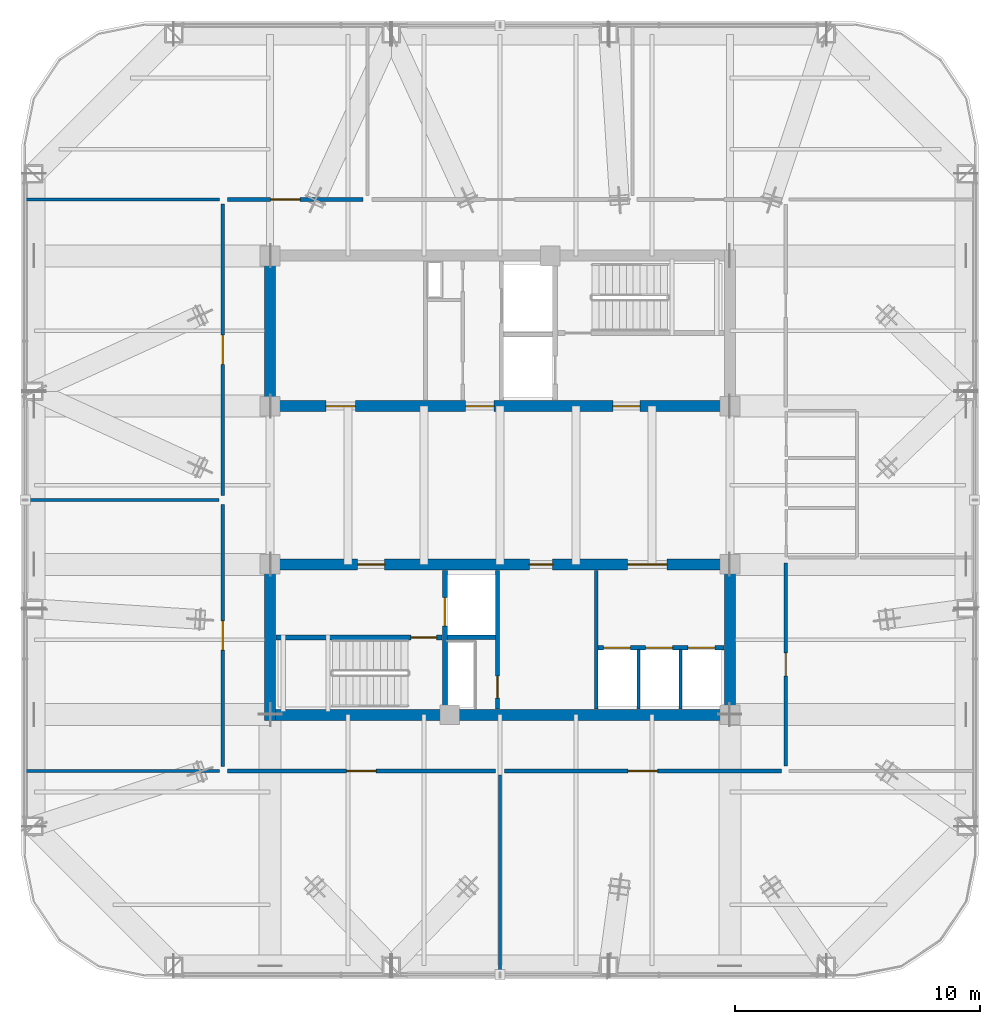
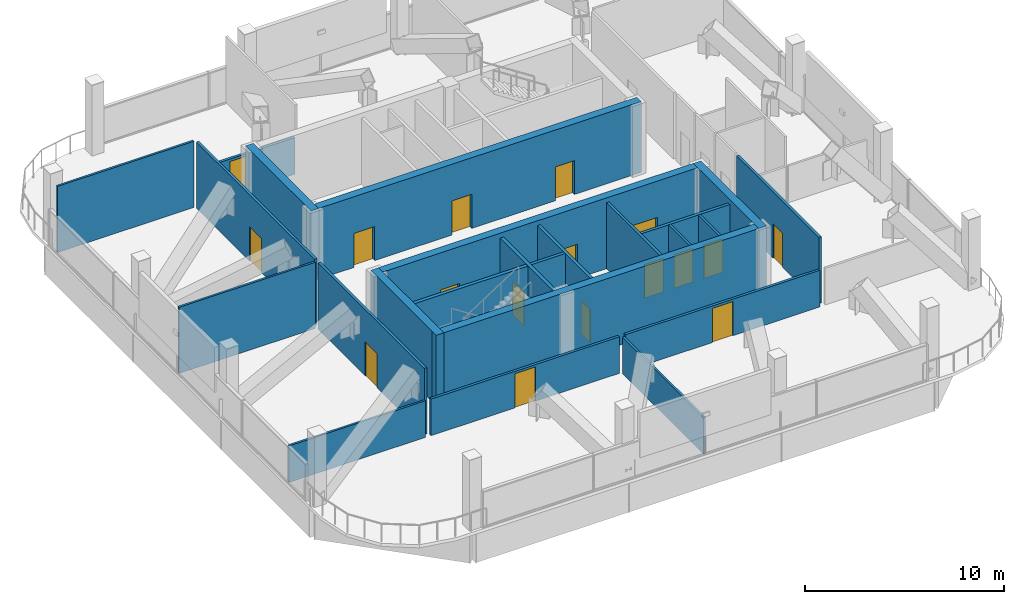
# One storey, part 15 of 19: 24 walls, 18 doors, 18 openings.
"""IFC4 building model written with IfcOpenShell, lengths in metres."""

from ifc_helpers import new_model, si_unit, direction, frame, frame_2d, origin, place, context, subcontext, project, spatial, rectangle, extrude, material, layer, layer_set, type_object, element, fill, save


model = new_model("IFC4")

# Units and contexts
model_context = context("Model", 3, precision=1e-05, world=origin(), true_north=direction((0.0, 1.0)))
body_context = subcontext(model_context, "Body", "Model", "MODEL_VIEW")
ifc_project = project(units=[si_unit("LENGTHUNIT", "METRE"), si_unit("AREAUNIT", "SQUARE_METRE"), si_unit("VOLUMEUNIT", "CUBIC_METRE"), si_unit("PLANEANGLEUNIT", "RADIAN"), si_unit("MASSUNIT", "GRAM", prefix="KILO")], contexts=[model_context])

# Site, building, storey
site_placement = place(None, origin())
site = spatial("IfcSite", under=ifc_project, at=site_placement, CompositionType="ELEMENT")
building_placement = place(site_placement, origin())
building = spatial("IfcBuilding", under=site, at=building_placement, Name="Qhalaya Broadcast Tower", CompositionType="ELEMENT")
storey_placement = place(building_placement, frame((0.0, 0.0, 226.949951171875)))
storey = spatial("IfcBuildingStorey", under=building, at=storey_placement, Name="L67", CompositionType="ELEMENT", Elevation=226.949951171875)

# Wall
ifc_material_1 = material(Name="Gypsum Acoustic Partition")
ifc_layer_1 = layer(ifc_material_1, 0.14990234375, Name="Gypsum Acoustic Partition")
ifc_layer_set_1 = layer_set([ifc_layer_1], Name="Gypsum Acoustic Partition")
wall_type_1 = type_object("IfcWallType", Name="Corridor & Tenancy Acoustic Partition 150", PredefinedType="PARTITIONING", material=ifc_layer_set_1)
wall_1_placement = place(storey_placement, frame((3.919921875, -8.530029296875, 0.0), z_axis=(0.0, 0.0, 1.0), x_axis=(0.0, 1.0, 0.0)))
element("IfcWall", 1, at=wall_1_placement, inside=storey, type_object=wall_type_1, Name="L67 Partition Wall SCW-HSEP", PredefinedType="PARTITIONING", context=body_context, shape_type="SweptSolid", body=[
    extrude(rectangle(XDim=5.659912109375, YDim=0.14990234375, at=frame_2d((2.830078125, 0.0))), origin(), (0.0, 0.0, 1.0), 4.070068359375),
])

# Wall, opening, door
wall_2_placement = place(storey_placement, frame((-11.1201171875, 12.25, 0.0), z_axis=(0.0, 0.0, 1.0), x_axis=(1.0, 0.0, 0.0)))
wall_2 = element("IfcWall", 2, at=wall_2_placement, inside=storey, type_object=wall_type_1, Name="L67 Partition Wall W-COR-01", PredefinedType="PARTITIONING", context=body_context, shape_type="SweptSolid", body=[
    extrude(rectangle(XDim=5.5400390625, YDim=0.14990234375, at=frame_2d((2.77001953125, 0.0))), origin(), (0.0, 0.0, 1.0), 2.25),
])
opening_1_placement = place(wall_2_placement, frame((1.77001953125, 0.0, 0.0)))
opening_1 = element("IfcOpeningElement", 3, at=opening_1_placement, cuts=wall_2, Name="Opening D11", PredefinedType="OPENING", context=body_context, shape_type="SweptSolid", body=[
    extrude(rectangle(XDim=1.199951171875, YDim=2.10009765625, at=frame_2d((0.60009765625, 1.050048828125))), frame((0.0, 0.0869140625, 0.0), z_axis=(0.0, -1.0, 0.0), x_axis=(1.0, 0.0, 0.0)), (0.0, 0.0, 1.0), 0.173828125),
])
ifc_material_2 = material(Name="Anodised Aluminium Glazed Door", Category="aluminium")
door_type_1 = type_object("IfcDoorType", Name="Conference, Boardroom & Studio Control Door D11", OperationType="NOTDEFINED", PredefinedType="DOOR", material=ifc_material_2)
door_1_placement = place(opening_1_placement, origin())
door_1 = element("IfcDoor", 4, at=door_1_placement, inside=storey, type_object=door_type_1, Name="L67 Door D-RM01", OperationType="SINGLE_SWING_LEFT", OverallHeight=2.10009765625, OverallWidth=1.199951171875, PredefinedType="DOOR", context=body_context, shape_type="SweptSolid", body=[
    extrude(rectangle(XDim=1.199951171875, YDim=2.10009765625, at=frame_2d((0.60009765625, 1.050048828125))), frame((0.0, 0.02490234375, 0.0), z_axis=(0.0, -1.0, 0.0), x_axis=(1.0, 0.0, 0.0)), (0.0, 0.0, 1.0), 0.050048828125),
])
fill(opening_1, door_1)

wall_3_placement = place(storey_placement, frame((-11.1201171875, -11.050048828125, 0.0), z_axis=(0.0, 0.0, 1.0), x_axis=(1.0, 0.0, 0.0)))
wall_3 = element("IfcWall", 5, at=wall_3_placement, inside=storey, type_object=wall_type_1, Name="L67 Partition Wall W-COR-04", PredefinedType="PARTITIONING", context=body_context, shape_type="SweptSolid", body=[
    extrude(rectangle(XDim=10.940185546875, YDim=0.14990234375, at=frame_2d((5.47021484375, 0.0))), origin(), (0.0, 0.0, 1.0), 2.25),
])
opening_2_placement = place(wall_3_placement, frame((4.8701171875, 0.0, 0.0)))
opening_2 = element("IfcOpeningElement", 6, at=opening_2_placement, cuts=wall_3, Name="Opening D11", PredefinedType="OPENING", context=body_context, shape_type="SweptSolid", body=[
    extrude(rectangle(XDim=1.199951171875, YDim=2.10009765625, at=frame_2d((0.60009765625, 1.050048828125))), frame((0.0, 0.0869140625, 0.0), z_axis=(0.0, -1.0, 0.0), x_axis=(1.0, 0.0, 0.0)), (0.0, 0.0, 1.0), 0.173828125),
])
door_2_placement = place(opening_2_placement, origin())
door_2 = element("IfcDoor", 7, at=door_2_placement, inside=storey, type_object=door_type_1, Name="L67 Door D-RM04", OperationType="SINGLE_SWING_RIGHT", OverallHeight=2.10009765625, OverallWidth=1.199951171875, PredefinedType="DOOR", context=body_context, shape_type="SweptSolid", body=[
    extrude(rectangle(XDim=1.199951171875, YDim=2.10009765625, at=frame_2d((0.60009765625, 1.050048828125))), frame((0.0, 0.02490234375, 0.0), z_axis=(0.0, -1.0, 0.0), x_axis=(1.0, 0.0, 0.0)), (0.0, 0.0, 1.0), 0.050048828125),
])
fill(opening_2, door_2)

wall_4_placement = place(storey_placement, frame((0.179931640625, -11.050048828125, 0.0), z_axis=(0.0, 0.0, 1.0), x_axis=(1.0, 0.0, 0.0)))
wall_4 = element("IfcWall", 8, at=wall_4_placement, inside=storey, type_object=wall_type_1, Name="L67 Partition Wall W-COR-05", PredefinedType="PARTITIONING", context=body_context, shape_type="SweptSolid", body=[
    extrude(rectangle(XDim=11.2900390625, YDim=0.14990234375, at=frame_2d((5.64501953125, 0.0))), origin(), (0.0, 0.0, 1.0), 2.25),
])
opening_3_placement = place(wall_4_placement, frame((5.044921875, 0.0, 0.0)))
opening_3 = element("IfcOpeningElement", 9, at=opening_3_placement, cuts=wall_4, Name="Opening D11", PredefinedType="OPENING", context=body_context, shape_type="SweptSolid", body=[
    extrude(rectangle(XDim=1.199951171875, YDim=2.10009765625, at=frame_2d((0.60009765625, 1.050048828125))), frame((0.0, 0.0869140625, 0.0), z_axis=(0.0, -1.0, 0.0), x_axis=(1.0, 0.0, 0.0)), (0.0, 0.0, 1.0), 0.173828125),
])
door_3_placement = place(opening_3_placement, origin())
door_3 = element("IfcDoor", 10, at=door_3_placement, inside=storey, type_object=door_type_1, Name="L67 Door D-RM05", OperationType="SINGLE_SWING_LEFT", OverallHeight=2.10009765625, OverallWidth=1.199951171875, PredefinedType="DOOR", context=body_context, shape_type="SweptSolid", body=[
    extrude(rectangle(XDim=1.199951171875, YDim=2.10009765625, at=frame_2d((0.60009765625, 1.050048828125))), frame((0.0, 0.02490234375, 0.0), z_axis=(0.0, -1.0, 0.0), x_axis=(1.0, 0.0, 0.0)), (0.0, 0.0, 1.0), 0.050048828125),
])
fill(opening_3, door_3)

wall_5_placement = place(storey_placement, frame((-11.300048828125, -10.8701171875, 0.0), z_axis=(0.0, 0.0, 1.0), x_axis=(0.0, 1.0, 0.0)))
wall_5 = element("IfcWall", 11, at=wall_5_placement, inside=storey, type_object=wall_type_1, Name="L67 Partition Wall W-COR-06", PredefinedType="PARTITIONING", context=body_context, shape_type="SweptSolid", body=[
    extrude(rectangle(XDim=10.690185546875, YDim=0.14990234375, at=frame_2d((5.34521484375, 0.0))), origin(), (0.0, 0.0, 1.0), 4.070068359375),
])
opening_4_placement = place(wall_5_placement, frame((4.7451171875, 0.0, 0.0)))
opening_4 = element("IfcOpeningElement", 12, at=opening_4_placement, cuts=wall_5, Name="Opening D11", PredefinedType="OPENING", context=body_context, shape_type="SweptSolid", body=[
    extrude(rectangle(XDim=1.199951171875, YDim=2.10009765625, at=frame_2d((0.60009765625, 1.050048828125))), frame((0.0, 0.0869140625, 0.0), z_axis=(0.0, -1.0, 0.0), x_axis=(1.0, 0.0, 0.0)), (0.0, 0.0, 1.0), 0.173828125),
])
door_4_placement = place(opening_4_placement, origin())
door_4 = element("IfcDoor", 13, at=door_4_placement, inside=storey, type_object=door_type_1, Name="L67 Door D-RM06", OperationType="SINGLE_SWING_RIGHT", OverallHeight=2.10009765625, OverallWidth=1.199951171875, PredefinedType="DOOR", context=body_context, shape_type="SweptSolid", body=[
    extrude(rectangle(XDim=1.199951171875, YDim=2.10009765625, at=frame_2d((0.60009765625, 1.050048828125))), frame((0.0, 0.02490234375, 0.0), z_axis=(0.0, -1.0, 0.0), x_axis=(1.0, 0.0, 0.0)), (0.0, 0.0, 1.0), 0.050048828125),
])
fill(opening_4, door_4)

wall_6_placement = place(storey_placement, frame((-11.300048828125, 0.179931640625, 0.0), z_axis=(0.0, 0.0, 1.0), x_axis=(0.0, 1.0, 0.0)))
wall_6 = element("IfcWall", 14, at=wall_6_placement, inside=storey, type_object=wall_type_1, Name="L67 Partition Wall W-COR-07", PredefinedType="PARTITIONING", context=body_context, shape_type="SweptSolid", body=[
    extrude(rectangle(XDim=11.89013671875, YDim=0.14990234375, at=frame_2d((5.945068359375, 0.0))), origin(), (0.0, 0.0, 1.0), 4.070068359375),
])
opening_5_placement = place(wall_6_placement, frame((5.344970703125, 0.0, 0.0)))
opening_5 = element("IfcOpeningElement", 15, at=opening_5_placement, cuts=wall_6, Name="Opening D11", PredefinedType="OPENING", context=body_context, shape_type="SweptSolid", body=[
    extrude(rectangle(XDim=1.199951171875, YDim=2.10009765625, at=frame_2d((0.60009765625, 1.050048828125))), frame((0.0, 0.0869140625, 0.0), z_axis=(0.0, -1.0, 0.0), x_axis=(1.0, 0.0, 0.0)), (0.0, 0.0, 1.0), 0.173828125),
])
door_5_placement = place(opening_5_placement, origin())
door_5 = element("IfcDoor", 16, at=door_5_placement, inside=storey, type_object=door_type_1, Name="L67 Door D-RM07", OperationType="SINGLE_SWING_LEFT", OverallHeight=2.10009765625, OverallWidth=1.199951171875, PredefinedType="DOOR", context=body_context, shape_type="SweptSolid", body=[
    extrude(rectangle(XDim=1.199951171875, YDim=2.10009765625, at=frame_2d((0.60009765625, 1.050048828125))), frame((0.0, 0.02490234375, 0.0), z_axis=(0.0, -1.0, 0.0), x_axis=(1.0, 0.0, 0.0)), (0.0, 0.0, 1.0), 0.050048828125),
])
fill(opening_5, door_5)

wall_7_placement = place(storey_placement, frame((11.64990234375, -10.85009765625, 0.0), z_axis=(0.0, 0.0, 1.0), x_axis=(0.0, 1.0, 0.0)))
wall_7 = element("IfcWall", 17, at=wall_7_placement, inside=storey, type_object=wall_type_1, Name="L67 Partition Wall W-COR-08", PredefinedType="PARTITIONING", context=body_context, shape_type="SweptSolid", body=[
    extrude(rectangle(XDim=8.2900390625, YDim=0.14990234375, at=frame_2d((4.14501953125, 0.0))), origin(), (0.0, 0.0, 1.0), 4.070068359375),
])
opening_6_placement = place(wall_7_placement, frame((3.669921875, 0.0, 0.0)))
opening_6 = element("IfcOpeningElement", 18, at=opening_6_placement, cuts=wall_7, Name="Opening D10", PredefinedType="OPENING", context=body_context, shape_type="SweptSolid", body=[
    extrude(rectangle(XDim=0.949951171875, YDim=2.10009765625, at=frame_2d((0.47509765625, 1.050048828125))), frame((0.0, 0.0869140625, 0.0), z_axis=(0.0, -1.0, 0.0), x_axis=(1.0, 0.0, 0.0)), (0.0, 0.0, 1.0), 0.173828125),
])
ifc_material_3 = material(Name="Timber Veneer Acoustic Door", Category="wood")
door_type_2 = type_object("IfcDoorType", Name="Cellular Office & Edit Booth Door D10", OperationType="NOTDEFINED", PredefinedType="DOOR", material=ifc_material_3)
door_6_placement = place(opening_6_placement, origin())
door_6 = element("IfcDoor", 19, at=door_6_placement, inside=storey, type_object=door_type_2, Name="L67 Door D-RM08", OperationType="SINGLE_SWING_RIGHT", OverallHeight=2.10009765625, OverallWidth=0.949951171875, PredefinedType="DOOR", context=body_context, shape_type="SweptSolid", body=[
    extrude(rectangle(XDim=0.949951171875, YDim=2.10009765625, at=frame_2d((0.47509765625, 1.050048828125))), frame((0.0, 0.02490234375, 0.0), z_axis=(0.0, -1.0, 0.0), x_axis=(1.0, 0.0, 0.0)), (0.0, 0.0, 1.0), 0.050048828125),
])
fill(opening_6, door_6)

ifc_material_4 = material(Name="Concrete C50/60", Category="concrete")
ifc_layer_2 = layer(ifc_material_4, 0.199951171875, Name="Concrete C50/60")
ifc_layer_set_2 = layer_set([ifc_layer_2], Name="Concrete C50/60")
wall_type_2 = type_object("IfcWallType", Name="Load-Bearing Stair Shaft Wall 200", PredefinedType="SHEAR", material=ifc_layer_set_2)
wall_8_placement = place(storey_placement, frame((-9.1298828125, -5.60498046875, 0.0), z_axis=(0.0, 0.0, 1.0), x_axis=(1.0, 0.0, 0.0)))
wall_8 = element("IfcWall", 20, at=wall_8_placement, inside=storey, type_object=wall_type_2, Name="L67 Stair Core Shear Wall SCW-ST2", PredefinedType="SHEAR", context=body_context, shape_type="SweptSolid", body=[
    extrude(rectangle(XDim=6.769775390625, YDim=0.199951171875, at=frame_2d((3.384765625, 0.0))), origin(), (0.0, 0.0, 1.0), 4.070068359375),
])
opening_7_placement = place(wall_8_placement, frame((5.5, 0.0, 0.0)))
opening_7 = element("IfcOpeningElement", 21, at=opening_7_placement, cuts=wall_8, Name="Opening D03", PredefinedType="OPENING", context=body_context, shape_type="SweptSolid", body=[
    extrude(rectangle(XDim=1.050048828125, YDim=2.080078125, at=frame_2d((0.52490234375, 1.0400390625))), frame((0.0, 0.112060546875, 0.0), z_axis=(0.0, -1.0, 0.0), x_axis=(1.0, 0.0, 0.0)), (0.0, 0.0, 1.0), 0.223876953125),
])
ifc_material_5 = material(Name="Fire-Rated Steel Door", Category="steel")
door_type_3 = type_object("IfcDoorType", Name="Core Stair Protected Fire Door D03", OperationType="NOTDEFINED", PredefinedType="DOOR", material=ifc_material_5)
door_7_placement = place(opening_7_placement, origin())
door_7 = element("IfcDoor", 22, at=door_7_placement, inside=storey, type_object=door_type_3, Name="L67 Door D-SST2", OperationType="SINGLE_SWING_RIGHT", OverallHeight=2.080078125, OverallWidth=1.050048828125, PredefinedType="DOOR", context=body_context, shape_type="SweptSolid", body=[
    extrude(rectangle(XDim=1.050048828125, YDim=2.080078125, at=frame_2d((0.52490234375, 1.0400390625))), frame((0.0, 0.02490234375, 0.0), z_axis=(0.0, -1.0, 0.0), x_axis=(1.0, 0.0, 0.0)), (0.0, 0.0, 1.0), 0.050048828125),
])
fill(opening_7, door_7)

wall_9_placement = place(storey_placement, frame((-2.25, -8.530029296875, 0.0), z_axis=(0.0, 0.0, 1.0), x_axis=(0.0, 1.0, 0.0)))
wall_9 = element("IfcWall", 23, at=wall_9_placement, inside=storey, type_object=wall_type_2, Name="L67 Stair Core Shear Wall SCW-FF", PredefinedType="SHEAR", context=body_context, shape_type="SweptSolid", body=[
    extrude(rectangle(XDim=5.659912109375, YDim=0.199951171875, at=frame_2d((2.830078125, 0.0))), origin(), (0.0, 0.0, 1.0), 4.070068359375),
])
opening_8_placement = place(wall_9_placement, frame((3.39990234375, 0.0, 0.0)))
opening_8 = element("IfcOpeningElement", 24, at=opening_8_placement, cuts=wall_9, Name="Opening LD2", PredefinedType="OPENING", context=body_context, shape_type="SweptSolid", body=[
    extrude(rectangle(XDim=1.14990234375, YDim=2.080078125, at=frame_2d((0.574951171875, 1.0400390625))), frame((0.0, 0.112060546875, 0.0), z_axis=(0.0, -1.0, 0.0), x_axis=(1.0, 0.0, 0.0)), (0.0, 0.0, 1.0), 0.223876953125),
])
ifc_material_6 = material(Name="Brushed Stainless Steel Lift Door", Category="steel")
door_type_4 = type_object("IfcDoorType", Name="Firefighting Lift Sliding Landing Door LD2", OperationType="DOUBLE_DOOR_SLIDING", PredefinedType="DOOR", material=ifc_material_6)
door_8_placement = place(opening_8_placement, origin())
door_8 = element("IfcDoor", 25, at=door_8_placement, inside=storey, type_object=door_type_4, Name="L67 Door LD-FF2", OperationType="DOUBLE_DOOR_SLIDING", OverallHeight=2.080078125, OverallWidth=1.14990234375, PredefinedType="DOOR", context=body_context, shape_type="SweptSolid", body=[
    extrude(rectangle(XDim=1.14990234375, YDim=2.080078125, at=frame_2d((0.574951171875, 1.0400390625))), frame((0.0, 0.02490234375, 0.0), z_axis=(0.0, -1.0, 0.0), x_axis=(1.0, 0.0, 0.0)), (0.0, 0.0, 1.0), 0.050048828125),
])
fill(opening_8, door_8)

# Walls
ifc_layer_3 = layer(ifc_material_1, 0.1201171875, Name="Gypsum Acoustic Partition")
ifc_layer_set_3 = layer_set([ifc_layer_3], Name="Gypsum Acoustic Partition")
wall_type_3 = type_object("IfcWallType", Name="Office, Booth & Sanitary Partition 120", PredefinedType="PARTITIONING", material=ifc_layer_set_3)
for number, where, z_axis, x_axis, name in (
    (26, (5.639892578125, -8.530029296875, 0.0), (0.0, 0.0, 1.0), (0.0, 1.0, 0.0), "L67 Partition Wall SCW-HD6"),
    (27, (7.360107421875, -8.530029296875, 0.0), (0.0, 0.0, 1.0), (0.0, 1.0, 0.0), "L67 Partition Wall SCW-HD7"),
):
    element("IfcWall", number, at=place(storey_placement, frame(where, z_axis=z_axis, x_axis=x_axis)), inside=storey, type_object=wall_type_3, Name=name, PredefinedType="PARTITIONING", context=body_context, shape_type="SweptSolid", body=[
        extrude(rectangle(XDim=2.429931640625, YDim=0.1201171875, at=frame_2d((1.21484375, 0.0))), origin(), (0.0, 0.0, 1.0), 4.070068359375),
    ])
wall_10_placement = place(storey_placement, frame((-19.3798828125, 12.25, 0.0), z_axis=(0.0, 0.0, 1.0), x_axis=(1.0, 0.0, 0.0)))
element("IfcWall", 28, at=wall_10_placement, inside=storey, type_object=wall_type_3, Name="L67 Partition Wall W-BNDW1", PredefinedType="PARTITIONING", context=body_context, shape_type="SweptSolid", body=[
    extrude(rectangle(XDim=7.93994140625, YDim=0.1201171875, at=frame_2d((3.969970703125, 0.0))), origin(), (0.0, 0.0, 1.0), 4.070068359375),
])
wall_11_placement = place(storey_placement, frame((-19.3798828125, -11.050048828125, 0.0), z_axis=(0.0, 0.0, 1.0), x_axis=(1.0, 0.0, 0.0)))
element("IfcWall", 29, at=wall_11_placement, inside=storey, type_object=wall_type_3, Name="L67 Partition Wall W-BNDW2", PredefinedType="PARTITIONING", context=body_context, shape_type="SweptSolid", body=[
    extrude(rectangle(XDim=7.93994140625, YDim=0.1201171875, at=frame_2d((3.969970703125, 0.0))), origin(), (0.0, 0.0, 1.0), 2.25),
])
wall_12_placement = place(storey_placement, frame((0.0, -19.3798828125, 0.0), z_axis=(0.0, 0.0, 1.0), x_axis=(0.0, 1.0, 0.0)))
element("IfcWall", 30, at=wall_12_placement, inside=storey, type_object=wall_type_3, Name="L67 Partition Wall W-DIVS1", PredefinedType="PARTITIONING", context=body_context, shape_type="SweptSolid", body=[
    extrude(rectangle(XDim=8.169921875, YDim=0.1201171875, at=frame_2d((4.0849609375, 0.0))), origin(), (0.0, 0.0, 1.0), 2.25),
])
wall_13_placement = place(storey_placement, frame((-19.3798828125, 0.0, 0.0), z_axis=(0.0, 0.0, 1.0), x_axis=(1.0, 0.0, 0.0)))
element("IfcWall", 31, at=wall_13_placement, inside=storey, type_object=wall_type_3, Name="L67 Partition Wall W-DIVW1", PredefinedType="PARTITIONING", context=body_context, shape_type="SweptSolid", body=[
    extrude(rectangle(XDim=7.919921875, YDim=0.1201171875, at=frame_2d((3.9599609375, 0.0))), origin(), (0.0, 0.0, 1.0), 4.070068359375),
])

# Wall, opening, door
ifc_layer_4 = layer(ifc_material_1, 0.175048828125, Name="Gypsum Acoustic Partition")
ifc_layer_set_4 = layer_set([ifc_layer_4], Name="Gypsum Acoustic Partition")
wall_type_4 = type_object("IfcWallType", Name="Shaft & Riser Fire Partition 175", PredefinedType="PARTITIONING", material=ifc_layer_set_4)
wall_14_placement = place(storey_placement, frame((-0.10009765625, -8.530029296875, 0.0), z_axis=(0.0, 0.0, 1.0), x_axis=(0.0, 1.0, 0.0)))
wall_14 = element("IfcWall", 32, at=wall_14_placement, inside=storey, type_object=wall_type_4, Name="L67 Partition Wall SCW-FFE", PredefinedType="PARTITIONING", context=body_context, shape_type="SweptSolid", body=[
    extrude(rectangle(XDim=5.659912109375, YDim=0.175048828125, at=frame_2d((2.830078125, 0.0))), origin(), (0.0, 0.0, 1.0), 4.070068359375),
])
opening_9_placement = place(wall_14_placement, frame((0.449951171875, 0.0, 0.0)))
opening_9 = element("IfcOpeningElement", 33, at=opening_9_placement, cuts=wall_14, Name="Opening D06", PredefinedType="OPENING", context=body_context, shape_type="SweptSolid", body=[
    extrude(rectangle(XDim=0.89990234375, YDim=2.050048828125, at=frame_2d((0.449951171875, 1.02490234375))), frame((0.0, 0.099609375, 0.0), z_axis=(0.0, -1.0, 0.0), x_axis=(1.0, 0.0, 0.0)), (0.0, 0.0, 1.0), 0.198974609375),
])
door_type_5 = type_object("IfcDoorType", Name="Riser & Electrical Shaft Access Door D06", OperationType="NOTDEFINED", PredefinedType="DOOR", material=ifc_material_5)
door_9_placement = place(opening_9_placement, origin())
door_9 = element("IfcDoor", 34, at=door_9_placement, inside=storey, type_object=door_type_5, Name="L67 Riser Shaft Access Door D-SRSR", OperationType="SINGLE_SWING_LEFT", OverallHeight=2.050048828125, OverallWidth=0.89990234375, PredefinedType="DOOR", context=body_context, shape_type="SweptSolid", body=[
    extrude(rectangle(XDim=0.89990234375, YDim=2.050048828125, at=frame_2d((0.449951171875, 1.02490234375))), frame((0.0, 0.02490234375, 0.0), z_axis=(0.0, -1.0, 0.0), x_axis=(1.0, 0.0, 0.0)), (0.0, 0.0, 1.0), 0.050048828125),
])
fill(opening_9, door_9)

# Wall
wall_15_placement = place(storey_placement, frame((-2.14990234375, -5.60009765625, 0.0), z_axis=(0.0, 0.0, 1.0), x_axis=(1.0, 0.0, 0.0)))
element("IfcWall", 35, at=wall_15_placement, inside=storey, type_object=wall_type_4, Name="L67 Partition Wall SCW-FFM", PredefinedType="PARTITIONING", context=body_context, shape_type="SweptSolid", body=[
    extrude(rectangle(XDim=1.969970703125, YDim=0.175048828125, at=frame_2d((0.98486328125, 0.0))), origin(), (0.0, 0.0, 1.0), 4.070068359375),
])

# Wall, openings, doors
wall_16_placement = place(storey_placement, frame((4.0, -6.02001953125, 0.0), z_axis=(0.0, 0.0, 1.0), x_axis=(1.0, 0.0, 0.0)))
wall_16 = element("IfcWall", 36, at=wall_16_placement, inside=storey, type_object=wall_type_4, Name="L67 Partition Wall SCW-SLB", PredefinedType="PARTITIONING", context=body_context, shape_type="SweptSolid", body=[
    extrude(rectangle(XDim=5.1298828125, YDim=0.175048828125, at=frame_2d((2.56494140625, 0.0))), origin(), (0.0, 0.0, 1.0), 4.070068359375),
])
opening_10_placement = place(wall_16_placement, frame((0.219970703125, 0.0, 0.0)))
opening_10 = element("IfcOpeningElement", 37, at=opening_10_placement, cuts=wall_16, Name="Opening LD1", PredefinedType="OPENING", context=body_context, shape_type="SweptSolid", body=[
    extrude(rectangle(XDim=1.10009765625, YDim=2.06005859375, at=frame_2d((0.550048828125, 1.030029296875))), frame((0.0, 0.099609375, 0.0), z_axis=(0.0, -1.0, 0.0), x_axis=(1.0, 0.0, 0.0)), (0.0, 0.0, 1.0), 0.198974609375),
])
opening_11_placement = place(wall_16_placement, frame((1.93994140625, 0.0, 0.0)))
opening_11 = element("IfcOpeningElement", 38, at=opening_11_placement, cuts=wall_16, Name="Opening LD1", PredefinedType="OPENING", context=body_context, shape_type="SweptSolid", body=[
    extrude(rectangle(XDim=1.10009765625, YDim=2.06005859375, at=frame_2d((0.550048828125, 1.030029296875))), frame((0.0, 0.099609375, 0.0), z_axis=(0.0, -1.0, 0.0), x_axis=(1.0, 0.0, 0.0)), (0.0, 0.0, 1.0), 0.198974609375),
])
opening_12_placement = place(wall_16_placement, frame((3.659912109375, 0.0, 0.0)))
opening_12 = element("IfcOpeningElement", 39, at=opening_12_placement, cuts=wall_16, Name="Opening LD1", PredefinedType="OPENING", context=body_context, shape_type="SweptSolid", body=[
    extrude(rectangle(XDim=1.10009765625, YDim=2.06005859375, at=frame_2d((0.550048828125, 1.030029296875))), frame((0.0, 0.099609375, 0.0), z_axis=(0.0, -1.0, 0.0), x_axis=(1.0, 0.0, 0.0)), (0.0, 0.0, 1.0), 0.198974609375),
])
door_type_6 = type_object("IfcDoorType", Name="Passenger Lift Sliding Landing Door LD1", OperationType="DOUBLE_DOOR_SLIDING", PredefinedType="DOOR", material=ifc_material_6)
door_10_placement = place(opening_10_placement, origin())
door_10 = element("IfcDoor", 40, at=door_10_placement, inside=storey, type_object=door_type_6, Name="L67 Door LD-P6", OperationType="DOUBLE_DOOR_SLIDING", OverallHeight=2.06005859375, OverallWidth=1.10009765625, PredefinedType="DOOR", context=body_context, shape_type="SweptSolid", body=[
    extrude(rectangle(XDim=1.10009765625, YDim=2.06005859375, at=frame_2d((0.550048828125, 1.030029296875))), frame((0.0, 0.02490234375, 0.0), z_axis=(0.0, -1.0, 0.0), x_axis=(1.0, 0.0, 0.0)), (0.0, 0.0, 1.0), 0.050048828125),
])
fill(opening_10, door_10)
door_11_placement = place(opening_11_placement, origin())
door_11 = element("IfcDoor", 41, at=door_11_placement, inside=storey, type_object=door_type_6, Name="L67 Door LD-P7", OperationType="DOUBLE_DOOR_SLIDING", OverallHeight=2.06005859375, OverallWidth=1.10009765625, PredefinedType="DOOR", context=body_context, shape_type="SweptSolid", body=[
    extrude(rectangle(XDim=1.10009765625, YDim=2.06005859375, at=frame_2d((0.550048828125, 1.030029296875))), frame((0.0, 0.02490234375, 0.0), z_axis=(0.0, -1.0, 0.0), x_axis=(1.0, 0.0, 0.0)), (0.0, 0.0, 1.0), 0.050048828125),
])
fill(opening_11, door_11)
door_12_placement = place(opening_12_placement, origin())
door_12 = element("IfcDoor", 42, at=door_12_placement, inside=storey, type_object=door_type_6, Name="L67 Door LD-P8", OperationType="DOUBLE_DOOR_SLIDING", OverallHeight=2.06005859375, OverallWidth=1.10009765625, PredefinedType="DOOR", context=body_context, shape_type="SweptSolid", body=[
    extrude(rectangle(XDim=1.10009765625, YDim=2.06005859375, at=frame_2d((0.550048828125, 1.030029296875))), frame((0.0, 0.02490234375, 0.0), z_axis=(0.0, -1.0, 0.0), x_axis=(1.0, 0.0, 0.0)), (0.0, 0.0, 1.0), 0.050048828125),
])
fill(opening_12, door_12)

ifc_layer_5 = layer(ifc_material_4, 0.449951171875, Name="Concrete C50/60")
ifc_layer_set_5 = layer_set([ifc_layer_5], Name="Concrete C50/60")
wall_type_5 = type_object("IfcWallType", Name="Upper Split-Core Shear Wall 450", PredefinedType="SHEAR", material=ifc_layer_set_5)
wall_17_placement = place(storey_placement, frame((-9.60009765625, 3.824951171875, 0.0), z_axis=(0.0, 0.0, 1.0), x_axis=(1.0, 0.0, 0.0)))
wall_17 = element("IfcWall", 43, at=wall_17_placement, inside=storey, type_object=wall_type_5, Name="L67 Split-Core Shear Wall CW-NS", PredefinedType="SHEAR", context=body_context, shape_type="SweptSolid", body=[
    extrude(rectangle(XDim=19.2001953125, YDim=0.449951171875, at=frame_2d((9.60009765625, 0.0))), origin(), (0.0, 0.0, 1.0), 4.35009765625),
])
opening_13_placement = place(wall_17_placement, frame((14.199951171875, 0.0, 0.0)))
opening_13 = element("IfcOpeningElement", 44, at=opening_13_placement, cuts=wall_17, Name="Opening D04", PredefinedType="OPENING", context=body_context, shape_type="SweptSolid", body=[
    extrude(rectangle(XDim=1.10009765625, YDim=2.080078125, at=frame_2d((0.550048828125, 1.0400390625))), frame((0.0, 0.237060546875, 0.0), z_axis=(0.0, -1.0, 0.0), x_axis=(1.0, 0.0, 0.0)), (0.0, 0.0, 1.0), 0.473876953125),
])
opening_14_placement = place(wall_17_placement, frame((8.199951171875, 0.0, 0.0)))
opening_14 = element("IfcOpeningElement", 45, at=opening_14_placement, cuts=wall_17, Name="Opening D05", PredefinedType="OPENING", context=body_context, shape_type="SweptSolid", body=[
    extrude(rectangle(XDim=1.14990234375, YDim=2.10009765625, at=frame_2d((0.574951171875, 1.050048828125))), frame((0.0, 0.237060546875, 0.0), z_axis=(0.0, -1.0, 0.0), x_axis=(1.0, 0.0, 0.0)), (0.0, 0.0, 1.0), 0.473876953125),
])
opening_15_placement = place(wall_17_placement, frame((2.5, 0.0, 0.0)))
opening_15 = element("IfcOpeningElement", 46, at=opening_15_placement, cuts=wall_17, Name="Opening D11", PredefinedType="OPENING", context=body_context, shape_type="SweptSolid", body=[
    extrude(rectangle(XDim=1.199951171875, YDim=2.10009765625, at=frame_2d((0.60009765625, 1.050048828125))), frame((0.0, 0.237060546875, 0.0), z_axis=(0.0, -1.0, 0.0), x_axis=(1.0, 0.0, 0.0)), (0.0, 0.0, 1.0), 0.473876953125),
])
door_13_placement = place(opening_15_placement, origin())
door_13 = element("IfcDoor", 47, at=door_13_placement, inside=storey, type_object=door_type_1, Name="L67 Door D-NREC1", OperationType="SINGLE_SWING_LEFT", OverallHeight=2.10009765625, OverallWidth=1.199951171875, PredefinedType="DOOR", context=body_context, shape_type="SweptSolid", body=[
    extrude(rectangle(XDim=1.199951171875, YDim=2.10009765625, at=frame_2d((0.60009765625, 1.050048828125))), frame((0.0, 0.02490234375, 0.0), z_axis=(0.0, -1.0, 0.0), x_axis=(1.0, 0.0, 0.0)), (0.0, 0.0, 1.0), 0.050048828125),
])
fill(opening_15, door_13)
door_type_7 = type_object("IfcDoorType", Name="Firefighting Lobby Rated Door D04", OperationType="NOTDEFINED", PredefinedType="DOOR", material=ifc_material_5)
door_14_placement = place(opening_13_placement, origin())
door_14 = element("IfcDoor", 48, at=door_14_placement, inside=storey, type_object=door_type_7, Name="L67 Door D-NFF", OperationType="SINGLE_SWING_RIGHT", OverallHeight=2.080078125, OverallWidth=1.10009765625, PredefinedType="DOOR", context=body_context, shape_type="SweptSolid", body=[
    extrude(rectangle(XDim=1.10009765625, YDim=2.080078125, at=frame_2d((0.550048828125, 1.0400390625))), frame((0.0, 0.02490234375, 0.0), z_axis=(0.0, -1.0, 0.0), x_axis=(1.0, 0.0, 0.0)), (0.0, 0.0, 1.0), 0.050048828125),
])
fill(opening_13, door_14)
door_type_8 = type_object("IfcDoorType", Name="Refuge & Plant Room Fire Door D05", OperationType="NOTDEFINED", PredefinedType="DOOR", material=ifc_material_5)
door_15_placement = place(opening_14_placement, origin())
door_15 = element("IfcDoor", 49, at=door_15_placement, inside=storey, type_object=door_type_8, Name="L67 Door D-NSVL", OperationType="SINGLE_SWING_LEFT", OverallHeight=2.10009765625, OverallWidth=1.14990234375, PredefinedType="DOOR", context=body_context, shape_type="SweptSolid", body=[
    extrude(rectangle(XDim=1.14990234375, YDim=2.10009765625, at=frame_2d((0.574951171875, 1.050048828125))), frame((0.0, 0.02490234375, 0.0), z_axis=(0.0, -1.0, 0.0), x_axis=(1.0, 0.0, 0.0)), (0.0, 0.0, 1.0), 0.050048828125),
])
fill(opening_14, door_15)

# Walls
wall_18_placement = place(storey_placement, frame((-9.375, 3.60009765625, 0.0), z_axis=(0.0, 0.0, 1.0), x_axis=(0.0, 1.0, 0.0)))
element("IfcWall", 50, at=wall_18_placement, inside=storey, type_object=wall_type_5, Name="L67 Split-Core Shear Wall CW-NW", PredefinedType="SHEAR", context=body_context, shape_type="SweptSolid", body=[
    extrude(rectangle(XDim=6.599853515625, YDim=0.449951171875, at=frame_2d((3.2998046875, 0.0))), origin(), (0.0, 0.0, 1.0), 4.35009765625),
])
wall_19_placement = place(storey_placement, frame((-9.60009765625, -8.77490234375, 0.0), z_axis=(0.0, 0.0, 1.0), x_axis=(1.0, 0.0, 0.0)))
element("IfcWall", 51, at=wall_19_placement, inside=storey, type_object=wall_type_5, Name="L67 Split-Core Shear Wall CW-SS", PredefinedType="SHEAR", context=body_context, shape_type="SweptSolid", body=[
    extrude(rectangle(XDim=19.2001953125, YDim=0.449951171875, at=frame_2d((9.60009765625, 0.0))), origin(), (0.0, 0.0, 1.0), 4.35009765625),
])

# Wall, openings, doors
wall_20_placement = place(storey_placement, frame((-9.60009765625, -2.625, 0.0), z_axis=(0.0, 0.0, 1.0), x_axis=(1.0, 0.0, 0.0)))
wall_20 = element("IfcWall", 52, at=wall_20_placement, inside=storey, type_object=wall_type_5, Name="L67 Split-Core Shear Wall CW-SN", PredefinedType="SHEAR", context=body_context, shape_type="SweptSolid", body=[
    extrude(rectangle(XDim=19.2001953125, YDim=0.449951171875, at=frame_2d((9.60009765625, 0.0))), origin(), (0.0, 0.0, 1.0), 4.35009765625),
])
opening_16_placement = place(wall_20_placement, frame((3.800048828125, 0.0, 0.0)))
opening_16 = element("IfcOpeningElement", 53, at=opening_16_placement, cuts=wall_20, Name="Opening D04", PredefinedType="OPENING", context=body_context, shape_type="SweptSolid", body=[
    extrude(rectangle(XDim=1.10009765625, YDim=2.080078125, at=frame_2d((0.550048828125, 1.0400390625))), frame((0.0, 0.237060546875, 0.0), z_axis=(0.0, -1.0, 0.0), x_axis=(1.0, 0.0, 0.0)), (0.0, 0.0, 1.0), 0.473876953125),
])
opening_17_placement = place(wall_20_placement, frame((10.800048828125, 0.0, 0.0)))
opening_17 = element("IfcOpeningElement", 54, at=opening_17_placement, cuts=wall_20, Name="Opening D10", PredefinedType="OPENING", context=body_context, shape_type="SweptSolid", body=[
    extrude(rectangle(XDim=0.949951171875, YDim=2.10009765625, at=frame_2d((0.47509765625, 1.050048828125))), frame((0.0, 0.237060546875, 0.0), z_axis=(0.0, -1.0, 0.0), x_axis=(1.0, 0.0, 0.0)), (0.0, 0.0, 1.0), 0.473876953125),
])
opening_18_placement = place(wall_20_placement, frame((14.800048828125, 0.0, 0.0)))
opening_18 = element("IfcOpeningElement", 55, at=opening_18_placement, cuts=wall_20, Name="Opening D07", PredefinedType="OPENING", context=body_context, shape_type="SweptSolid", body=[
    extrude(rectangle(XDim=1.60009765625, YDim=2.1201171875, at=frame_2d((0.800048828125, 1.06005859375))), frame((0.0, 0.237060546875, 0.0), z_axis=(0.0, -1.0, 0.0), x_axis=(1.0, 0.0, 0.0)), (0.0, 0.0, 1.0), 0.473876953125),
])
door_16_placement = place(opening_17_placement, origin())
door_16 = element("IfcDoor", 56, at=door_16_placement, inside=storey, type_object=door_type_2, Name="L67 Door D-SREC", OperationType="SINGLE_SWING_LEFT", OverallHeight=2.10009765625, OverallWidth=0.949951171875, PredefinedType="DOOR", context=body_context, shape_type="SweptSolid", body=[
    extrude(rectangle(XDim=0.949951171875, YDim=2.10009765625, at=frame_2d((0.47509765625, 1.050048828125))), frame((0.0, 0.02490234375, 0.0), z_axis=(0.0, -1.0, 0.0), x_axis=(1.0, 0.0, 0.0)), (0.0, 0.0, 1.0), 0.050048828125),
])
fill(opening_17, door_16)
door_17_placement = place(opening_16_placement, origin())
door_17 = element("IfcDoor", 57, at=door_17_placement, inside=storey, type_object=door_type_7, Name="L67 Door D-SFF", OperationType="SINGLE_SWING_LEFT", OverallHeight=2.080078125, OverallWidth=1.10009765625, PredefinedType="DOOR", context=body_context, shape_type="SweptSolid", body=[
    extrude(rectangle(XDim=1.10009765625, YDim=2.080078125, at=frame_2d((0.550048828125, 1.0400390625))), frame((0.0, 0.02490234375, 0.0), z_axis=(0.0, -1.0, 0.0), x_axis=(1.0, 0.0, 0.0)), (0.0, 0.0, 1.0), 0.050048828125),
])
fill(opening_16, door_17)
door_type_9 = type_object("IfcDoorType", Name="Passenger Lift Lobby Double Glazed Door D07", OperationType="DOUBLE_DOOR_SINGLE_SWING", PredefinedType="DOOR", material=ifc_material_2)
door_18_placement = place(opening_18_placement, origin())
door_18 = element("IfcDoor", 58, at=door_18_placement, inside=storey, type_object=door_type_9, Name="L67 Door D-SPLL", OperationType="DOUBLE_DOOR_SINGLE_SWING", OverallHeight=2.1201171875, OverallWidth=1.60009765625, PredefinedType="DOOR", context=body_context, shape_type="SweptSolid", body=[
    extrude(rectangle(XDim=1.60009765625, YDim=2.1201171875, at=frame_2d((0.800048828125, 1.06005859375))), frame((0.0, 0.02490234375, 0.0), z_axis=(0.0, -1.0, 0.0), x_axis=(1.0, 0.0, 0.0)), (0.0, 0.0, 1.0), 0.050048828125),
])
fill(opening_18, door_18)

# Walls
for number, where, z_axis, x_axis, name in (
    (59, (-9.375, -9.0, 0.0), (0.0, 0.0, 1.0), (0.0, 1.0, 0.0), "L67 Split-Core Shear Wall CW-SW"),
    (60, (9.375, -9.0, 0.0), (0.0, 0.0, 1.0), (0.0, 1.0, 0.0), "L67 Split-Core Shear Wall CW-SE"),
):
    element("IfcWall", number, at=place(storey_placement, frame(where, z_axis=z_axis, x_axis=x_axis)), inside=storey, type_object=wall_type_5, Name=name, PredefinedType="SHEAR", context=body_context, shape_type="SweptSolid", body=[
        extrude(rectangle(XDim=6.60009765625, YDim=0.449951171875, at=frame_2d((3.300048828125, 0.0))), origin(), (0.0, 0.0, 1.0), 4.35009765625),
    ])

save(model, "model.ifc")
